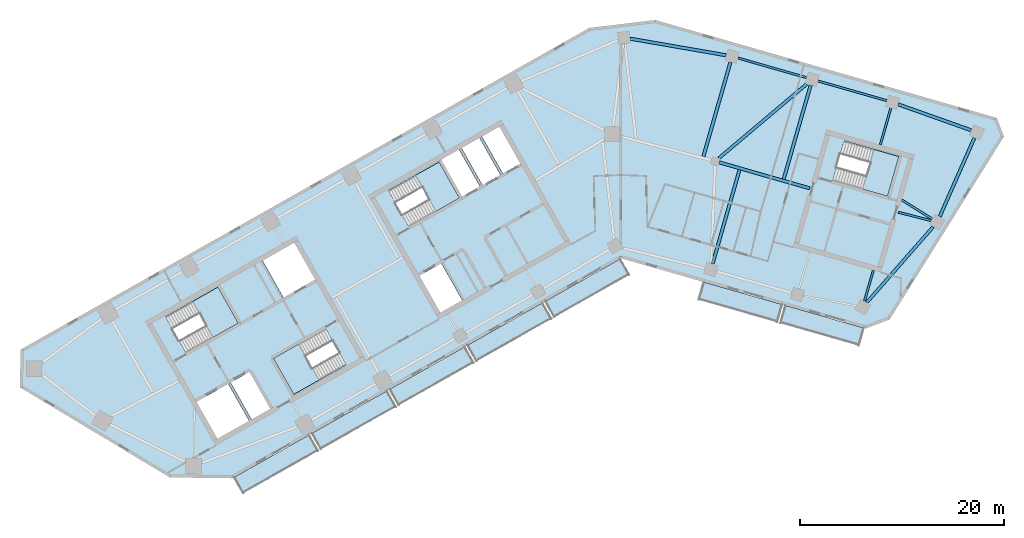
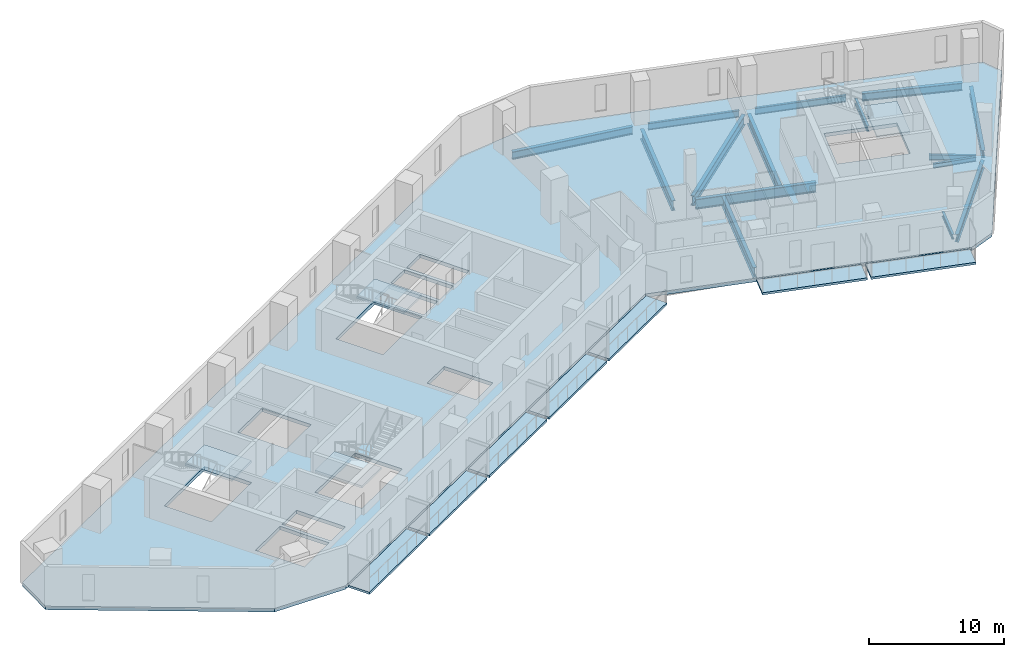
# One storey, part 2 of 9: 15 beams, 12 slabs, 4 elements without a shape of their own.
"""IFC4 building model written with IfcOpenShell, lengths in metres."""

from ifc_helpers import new_model, si_unit, direction, frame, origin, origin_2d, place, context, subcontext, project, spatial, polyline, i_section, outline, extrude, material, layer, layer_set, material_profile, profile_set, type_object, element, aggregate, save


model = new_model("IFC4")

# Units and contexts
model_context = context("Model", 3, precision=1e-05, world=origin(), true_north=direction((0.0, 1.0)))
body_context = subcontext(model_context, "Body", "Model", "MODEL_VIEW")
ifc_project = project(units=[si_unit("LENGTHUNIT", "METRE"), si_unit("AREAUNIT", "SQUARE_METRE"), si_unit("VOLUMEUNIT", "CUBIC_METRE"), si_unit("PLANEANGLEUNIT", "RADIAN"), si_unit("MASSUNIT", "GRAM", prefix="KILO")], contexts=[model_context])

# Site, building, storey
site_placement = place(None, origin())
site = spatial("IfcSite", under=ifc_project, at=site_placement, CompositionType="ELEMENT")
building_placement = place(site_placement, origin())
building = spatial("IfcBuilding", under=site, at=building_placement, Name="Binnacle Exchange Tower", CompositionType="ELEMENT")
storey_placement = place(building_placement, frame((0.0, 0.0, 166.89990234375)))
storey = spatial("IfcBuildingStorey", under=building, at=storey_placement, Name="L35", CompositionType="ELEMENT", Elevation=166.89990234375)

# Beams
ifc_material_1 = material(Name="Steel S355 (SHN355)", Category="steel")
ifc_material_profile_1 = material_profile(ifc_material_1, i_section(OverallWidth=0.201904296875, OverallDepth=0.612060546875, WebThickness=0.012939453125, FlangeThickness=0.02294921875, FilletRadius=0.02197265625, at=origin_2d()), Name="H 612x202x13x23")
ifc_profile_set_1 = profile_set([ifc_material_profile_1], Name="Steel S355 (SHN355)")
beam_type_1 = type_object("IfcBeamType", Name="Edge girder H 612x202x13x23 Steel S355 (SHN355)", PredefinedType="SPANDREL", material=ifc_profile_set_1)
for number, where, z_axis, x_axis, name in (
    (1, (18.16943359375, 65.54150390625, -0.6259765625), (-0.961255274252, 0.275659749916, 0.0), (-0.275659749916, -0.961255274252, 0.0), "S:BM:edge:L35:029"),
    (2, (26.02587890625, 63.288818359375, -0.6259765625), (-0.961267211469, 0.275618120149, 0.0), (-0.275618120149, -0.961267211469, 0.0), "S:BM:edge:L35:031"),
):
    element("IfcBeam", number, at=place(storey_placement, frame(where, z_axis=z_axis, x_axis=x_axis)), inside=storey, type_object=beam_type_1, Name=name, PredefinedType="SPANDREL", context=body_context, shape_type="SweptSolid", body=[
        extrude(i_section(OverallWidth=0.201904296875, OverallDepth=0.612060546875, WebThickness=0.012939453125, FlangeThickness=0.02294921875, FilletRadius=0.02197265625, at=origin_2d()), origin(), (0.0, 0.0, 1.0), 6.972900390625),
    ])
ifc_material_profile_2 = material_profile(ifc_material_1, i_section(OverallWidth=0.300048828125, OverallDepth=0.699951171875, WebThickness=0.012939453125, FlangeThickness=0.02392578125, FilletRadius=0.028076171875, at=origin_2d()), Name="H 700x300x13x24")
ifc_profile_set_2 = profile_set([ifc_material_profile_2], Name="Steel S355 (SHN355)")
beam_type_2 = type_object("IfcBeamType", Name="Edge girder H 700x300x13x24 Steel S355 (SHN355)", PredefinedType="SPANDREL", material=ifc_profile_set_2)
beam_1_placement = place(storey_placement, frame((31.234130859375, 51.94091796875, -0.669921875), z_axis=(0.403470856186, 0.914992496258, 0.0), x_axis=(-0.914992496258, 0.403470856186, 0.0)))
element("IfcBeam", 3, at=beam_1_placement, inside=storey, type_object=beam_type_2, Name="S:BM:edge:L35:032", PredefinedType="SPANDREL", context=body_context, shape_type="SweptSolid", body=[
    extrude(i_section(OverallWidth=0.300048828125, OverallDepth=0.699951171875, WebThickness=0.012939453125, FlangeThickness=0.02392578125, FilletRadius=0.028076171875, at=origin_2d()), origin(), (0.0, 0.0, 1.0), 8.412109375),
])
beam_2_placement = place(storey_placement, frame((34.30419921875, 60.38818359375, -0.669921875), z_axis=(-0.942327723458, 0.334691591771, 0.0), x_axis=(-0.334691591771, -0.942327723458, 0.0)))
element("IfcBeam", 4, at=beam_2_placement, inside=storey, type_object=beam_type_2, Name="S:BM:edge:L35:033", PredefinedType="SPANDREL", context=body_context, shape_type="SweptSolid", body=[
    extrude(i_section(OverallWidth=0.300048828125, OverallDepth=0.699951171875, WebThickness=0.012939453125, FlangeThickness=0.02392578125, FilletRadius=0.028076171875, at=origin_2d()), origin(), (0.0, 0.0, 1.0), 7.57177734375),
])
ifc_material_profile_3 = material_profile(ifc_material_1, i_section(OverallWidth=0.302001953125, OverallDepth=0.7080078125, WebThickness=0.014892578125, FlangeThickness=0.028076171875, FilletRadius=0.028076171875, at=origin_2d()), Name="H 708x302x15x28")
ifc_profile_set_3 = profile_set([ifc_material_profile_3], Name="Steel S355 (SHN355)")
beam_type_3 = type_object("IfcBeamType", Name="Edge girder H 708x302x15x28 Steel S355 (SHN355)", PredefinedType="SPANDREL", material=ifc_profile_set_3)
beam_3_placement = place(storey_placement, frame((10.29541015625, 67.73193359375, -0.673828125), z_axis=(-0.985309861954, 0.170776098841, 0.0), x_axis=(-0.170776098841, -0.985309861954, 0.0)))
element("IfcBeam", 5, at=beam_3_placement, inside=storey, type_object=beam_type_3, Name="S:BM:edge:L35:027", PredefinedType="SPANDREL", context=body_context, shape_type="SweptSolid", body=[
    extrude(i_section(OverallWidth=0.302001953125, OverallDepth=0.7080078125, WebThickness=0.014892578125, FlangeThickness=0.028076171875, FilletRadius=0.028076171875, at=origin_2d()), origin(), (0.0, 0.0, 1.0), 9.518310546875),
])
beam_4_placement = place(storey_placement, frame((24.09326171875, 43.5224609375, -0.673828125), z_axis=(0.659335841855, 0.751848553663, 0.0), x_axis=(-0.751848553663, 0.659335841855, 0.0)))
element("IfcBeam", 6, at=beam_4_placement, inside=storey, type_object=beam_type_3, Name="S:BM:edge:L35:030", PredefinedType="SPANDREL", context=body_context, shape_type="SweptSolid", body=[
    extrude(i_section(OverallWidth=0.302001953125, OverallDepth=0.7080078125, WebThickness=0.014892578125, FlangeThickness=0.028076171875, FilletRadius=0.028076171875, at=origin_2d()), origin(), (0.0, 0.0, 1.0), 9.851318359375),
])
ifc_material_profile_4 = material_profile(ifc_material_1, i_section(OverallWidth=0.199951171875, OverallDepth=0.449951171875, WebThickness=0.009033203125, FlangeThickness=0.013916015625, FilletRadius=0.01806640625, at=origin_2d()), Name="H 450x200x9x14")
ifc_profile_set_4 = profile_set([ifc_material_profile_4], Name="Steel S355 (SHN355)")
beam_type_4 = type_object("IfcBeamType", Name="Floor beam H 450x200x9x14 Steel S355 (SHN355)", PredefinedType="BEAM", material=ifc_profile_set_4)
beam_5_placement = place(storey_placement, frame((23.860595703125, 43.6572265625, -0.544921875), z_axis=(0.275637043779, 0.961261785414, 0.0), x_axis=(-0.961261785414, 0.275637043779, 0.0)))
element("IfcBeam", 7, at=beam_5_placement, inside=storey, type_object=beam_type_4, Name="S:BM:cross:L35:051", PredefinedType="BEAM", context=body_context, shape_type="SweptSolid", body=[
    extrude(i_section(OverallWidth=0.199951171875, OverallDepth=0.449951171875, WebThickness=0.009033203125, FlangeThickness=0.013916015625, FilletRadius=0.01806640625, at=origin_2d()), origin(), (0.0, 0.0, 1.0), 3.1328125),
])
ifc_material_profile_5 = material_profile(ifc_material_1, i_section(OverallWidth=0.199951171875, OverallDepth=0.5, WebThickness=0.010009765625, FlangeThickness=0.01611328125, FilletRadius=0.02001953125, at=origin_2d()), Name="H 500x200x10x16")
ifc_profile_set_5 = profile_set([ifc_material_profile_5], Name="Steel S355 (SHN355)")
beam_type_5 = type_object("IfcBeamType", Name="Floor beam H 500x200x10x16 Steel S355 (SHN355)", PredefinedType="BEAM", material=ifc_profile_set_5)
beam_6_placement = place(storey_placement, frame((26.437255859375, 62.546630859375, -0.56982421875), z_axis=(-0.275644746045, -0.961259576794, 0.0), x_axis=(0.961259576794, -0.275644746045, 0.0)))
element("IfcBeam", 8, at=beam_6_placement, inside=storey, type_object=beam_type_5, Name="S:BM:cross:L35:052", PredefinedType="BEAM", context=body_context, shape_type="SweptSolid", body=[
    extrude(i_section(OverallWidth=0.199951171875, OverallDepth=0.5, WebThickness=0.010009765625, FlangeThickness=0.01611328125, FilletRadius=0.02001953125, at=origin_2d()), origin(), (0.0, 0.0, 1.0), 3.735107421875),
])
beam_7_placement = place(storey_placement, frame((30.480712890625, 51.704345703125, -0.56982421875), z_axis=(-0.848084620748, 0.529860808186, 0.0), x_axis=(-0.529860808186, -0.848084620748, 0.0)))
element("IfcBeam", 9, at=beam_7_placement, inside=storey, type_object=beam_type_5, Name="S:BM:cross:L35:053", PredefinedType="BEAM", context=body_context, shape_type="SweptSolid", body=[
    extrude(i_section(OverallWidth=0.199951171875, OverallDepth=0.5, WebThickness=0.010009765625, FlangeThickness=0.01611328125, FilletRadius=0.02001953125, at=origin_2d()), origin(), (0.0, 0.0, 1.0), 3.495361328125),
])
ifc_material_profile_6 = material_profile(ifc_material_1, i_section(OverallWidth=0.302001953125, OverallDepth=0.912109375, WebThickness=0.01806640625, FlangeThickness=0.033935546875, FilletRadius=0.028076171875, at=origin_2d()), Name="H 912x302x18x34")
ifc_profile_set_6 = profile_set([ifc_material_profile_6], Name="Steel S355 (SHN355)")
beam_type_6 = type_object("IfcBeamType", Name="Floor beam H 912x302x18x34 Steel S355 (SHN355)", PredefinedType="BEAM", material=ifc_profile_set_6)
beam_8_placement = place(storey_placement, frame((8.974853515625, 47.299072265625, -0.77587890625), z_axis=(0.275642748758, 0.961260149521, 0.0), x_axis=(-0.961260149521, 0.275642748758, 0.0)))
element("IfcBeam", 10, at=beam_8_placement, inside=storey, type_object=beam_type_6, Name="S:BM:cross:L35:047", PredefinedType="BEAM", context=body_context, shape_type="SweptSolid", body=[
    extrude(i_section(OverallWidth=0.302001953125, OverallDepth=0.912109375, WebThickness=0.01806640625, FlangeThickness=0.033935546875, FilletRadius=0.028076171875, at=origin_2d()), origin(), (0.0, 0.0, 1.0), 9.585205078125),
])
beam_9_placement = place(storey_placement, frame((10.724609375, 67.05224609375, -0.77587890625), z_axis=(-0.275623285325, -0.961265730475, 0.0), x_axis=(0.961265730475, -0.275623285325, 0.0)))
element("IfcBeam", 11, at=beam_9_placement, inside=storey, type_object=beam_type_6, Name="S:BM:cross:L35:048", PredefinedType="BEAM", context=body_context, shape_type="SweptSolid", body=[
    extrude(i_section(OverallWidth=0.302001953125, OverallDepth=0.912109375, WebThickness=0.01806640625, FlangeThickness=0.033935546875, FilletRadius=0.028076171875, at=origin_2d()), origin(), (0.0, 0.0, 1.0), 9.61328125),
])
beam_10_placement = place(storey_placement, frame((18.580810546875, 64.79931640625, -0.77587890625), z_axis=(-0.275625961623, -0.961264963098, 0.0), x_axis=(0.961264963098, -0.275625961623, 0.0)))
element("IfcBeam", 12, at=beam_10_placement, inside=storey, type_object=beam_type_6, Name="S:BM:cross:L35:050", PredefinedType="BEAM", context=body_context, shape_type="SweptSolid", body=[
    extrude(i_section(OverallWidth=0.302001953125, OverallDepth=0.912109375, WebThickness=0.01806640625, FlangeThickness=0.033935546875, FilletRadius=0.028076171875, at=origin_2d()), origin(), (0.0, 0.0, 1.0), 9.5849609375),
])
ifc_material_profile_7 = material_profile(ifc_material_1, i_section(OverallWidth=0.199951171875, OverallDepth=0.39990234375, WebThickness=0.008056640625, FlangeThickness=0.012939453125, FilletRadius=0.01611328125, at=origin_2d()), Name="H 400x200x8x13")
ifc_profile_set_7 = profile_set([ifc_material_profile_7], Name="Steel S355 (SHN355)")
beam_type_7 = type_object("IfcBeamType", Name="Spine girder H 400x200x8x13 Steel S355 (SHN355)", PredefinedType="BEAM", material=ifc_profile_set_7)
beam_11_placement = place(storey_placement, frame((27.17138671875, 52.35400390625, -0.52001953125), z_axis=(0.969342999561, -0.245711516217, 0.0), x_axis=(0.245711516217, 0.969342999561, 0.0)))
element("IfcBeam", 13, at=beam_11_placement, inside=storey, type_object=beam_type_7, Name="S:BM:spine:L35:010", PredefinedType="BEAM", context=body_context, shape_type="SweptSolid", body=[
    extrude(i_section(OverallWidth=0.199951171875, OverallDepth=0.39990234375, WebThickness=0.008056640625, FlangeThickness=0.012939453125, FilletRadius=0.01611328125, at=origin_2d()), origin(), (0.0, 0.0, 1.0), 3.30859375),
])
ifc_material_profile_8 = material_profile(ifc_material_1, i_section(OverallWidth=0.302001953125, OverallDepth=0.912109375, WebThickness=0.01806640625, FlangeThickness=0.033935546875, FilletRadius=0.028076171875, at=origin_2d()), Name="H 912x302x18x34")
ifc_profile_set_8 = profile_set([ifc_material_profile_8], Name="Steel S355 (SHN355)")
beam_type_8 = type_object("IfcBeamType", Name="Spine girder H 912x302x18x34 Steel S355 (SHN355)", PredefinedType="BEAM", material=ifc_profile_set_8)
beam_12_placement = place(storey_placement, frame((9.60888671875, 57.660888671875, -0.77587890625), z_axis=(0.764057522707, 0.645148124073, 0.0), x_axis=(-0.645148124073, 0.764057522707, 0.0)))
element("IfcBeam", 14, at=beam_12_placement, inside=storey, type_object=beam_type_8, Name="S:BM:spine:L35:008", PredefinedType="BEAM", context=body_context, shape_type="SweptSolid", body=[
    extrude(i_section(OverallWidth=0.302001953125, OverallDepth=0.912109375, WebThickness=0.01806640625, FlangeThickness=0.033935546875, FilletRadius=0.028076171875, at=origin_2d()), origin(), (0.0, 0.0, 1.0), 11.237060546875),
])
beam_13_placement = place(storey_placement, frame((9.62548828125, 57.239990234375, -0.77587890625), z_axis=(0.961259511383, -0.275644974153, 0.0), x_axis=(0.275644974153, 0.961259511383, 0.0)))
element("IfcBeam", 15, at=beam_13_placement, inside=storey, type_object=beam_type_8, Name="S:BM:spine:L35:009", PredefinedType="BEAM", context=body_context, shape_type="SweptSolid", body=[
    extrude(i_section(OverallWidth=0.302001953125, OverallDepth=0.912109375, WebThickness=0.01806640625, FlangeThickness=0.033935546875, FilletRadius=0.028076171875, at=origin_2d()), origin(), (0.0, 0.0, 1.0), 9.213134765625),
])

# Slabs
ifc_material_2 = material(Name="Concrete C35/45", Category="concrete")
ifc_layer_1 = layer(ifc_material_2, 0.199951171875)
ifc_layer_set_1 = layer_set([ifc_layer_1], Name="BALCONY SLAB 200")
slab_type_1 = type_object("IfcSlabType", Name="BALCONY SLAB 200", PredefinedType="FLOOR", material=ifc_layer_set_1)
slab_1_placement = place(storey_placement, frame((0.0, 0.0, -0.199951171875)))
element("IfcSlab", 16, at=slab_1_placement, inside=storey, type_object=slab_type_1, Name="Balcony BA-G01-00 L35", PredefinedType="FLOOR", context=body_context, shape_type="SweptSolid", body=[
    extrude(outline(polyline([(-37.893310546875, 26.388671875), (-30.534912109375, 30.5517578125), (-29.648681640625, 28.985107421875), (-37.007080078125, 24.822021484375), (-37.893310546875, 26.388671875)])), origin(), (0.0, 0.0, 1.0), 0.199951171875),
])
slab_2_placement = place(storey_placement, frame((0.0, 0.0, -0.199951171875)))
element("IfcSlab", 17, at=slab_2_placement, inside=storey, type_object=slab_type_1, Name="Balcony BA-G01-01 L35", PredefinedType="FLOOR", context=body_context, shape_type="SweptSolid", body=[
    extrude(outline(polyline([(-30.27392578125, 30.699462890625), (-22.915283203125, 34.86279296875), (-22.029052734375, 33.296142578125), (-29.387451171875, 29.1328125), (-30.27392578125, 30.699462890625)])), origin(), (0.0, 0.0, 1.0), 0.199951171875),
])
slab_3_placement = place(storey_placement, frame((0.0, 0.0, -0.199951171875)))
element("IfcSlab", 18, at=slab_3_placement, inside=storey, type_object=slab_type_1, Name="Balcony BA-G01-02 L35", PredefinedType="FLOOR", context=body_context, shape_type="SweptSolid", body=[
    extrude(outline(polyline([(-22.654296875, 35.010498046875), (-15.2958984375, 39.173583984375), (-14.409423828125, 37.607177734375), (-21.767822265625, 33.44384765625), (-22.654296875, 35.010498046875)])), origin(), (0.0, 0.0, 1.0), 0.199951171875),
])
slab_4_placement = place(storey_placement, frame((0.0, 0.0, -0.199951171875)))
element("IfcSlab", 19, at=slab_4_placement, inside=storey, type_object=slab_type_1, Name="Balcony BA-G01-03 L35", PredefinedType="FLOOR", context=body_context, shape_type="SweptSolid", body=[
    extrude(outline(polyline([(-15.03466796875, 39.3212890625), (-7.67626953125, 43.484619140625), (-6.789794921875, 41.91796875), (-14.148193359375, 37.7548828125), (-15.03466796875, 39.3212890625)])), origin(), (0.0, 0.0, 1.0), 0.199951171875),
])
slab_5_placement = place(storey_placement, frame((0.0, 0.0, -0.199951171875)))
element("IfcSlab", 20, at=slab_5_placement, inside=storey, type_object=slab_type_1, Name="Balcony BA-G01-04 L35", PredefinedType="FLOOR", context=body_context, shape_type="SweptSolid", body=[
    extrude(outline(polyline([(-7.4150390625, 43.63232421875), (-0.056640625, 47.795654296875), (0.82958984375, 46.22900390625), (-6.52880859375, 42.06591796875), (-7.4150390625, 43.63232421875)])), origin(), (0.0, 0.0, 1.0), 0.199951171875),
])
slab_6_placement = place(storey_placement, frame((0.0, 0.0, -0.199951171875)))
element("IfcSlab", 21, at=slab_6_placement, inside=storey, type_object=slab_type_1, Name="Balcony BA-G02-01 L35", PredefinedType="FLOOR", context=body_context, shape_type="SweptSolid", body=[
    extrude(outline(polyline([(8.100830078125, 45.52099609375), (15.810546875, 43.310302734375), (15.314453125, 41.580078125), (7.604736328125, 43.790771484375), (8.100830078125, 45.52099609375)])), origin(), (0.0, 0.0, 1.0), 0.199951171875),
])
slab_7_placement = place(storey_placement, frame((0.0, 0.0, -0.199951171875)))
element("IfcSlab", 22, at=slab_7_placement, inside=storey, type_object=slab_type_1, Name="Balcony BA-G02-02 L35", PredefinedType="FLOOR", context=body_context, shape_type="SweptSolid", body=[
    extrude(outline(polyline([(16.09912109375, 43.2275390625), (23.80859375, 41.016845703125), (23.3125, 39.28662109375), (15.602783203125, 41.497314453125), (16.09912109375, 43.2275390625)])), origin(), (0.0, 0.0, 1.0), 0.199951171875),
])
ifc_layer_2 = layer(ifc_material_2, 0.320068359375)
ifc_layer_set_2 = layer_set([ifc_layer_2], Name="Floor slab 320 Concrete C35/45")
slab_type_2 = type_object("IfcSlabType", Name="Floor slab 320 Concrete C35/45", PredefinedType="FLOOR", material=ifc_layer_set_2)
slab_8_placement = place(storey_placement, frame((0.0, 0.0, -0.31982421875)))
element("IfcSlab", 23, at=slab_8_placement, inside=storey, type_object=slab_type_2, Name="S:SL:L35:01", PredefinedType="FLOOR", context=body_context, shape_type="SweptSolid", body=[
    extrude(outline(polyline([(-58.716064453125, 35.280029296875), (-58.669921875, 38.80615234375), (-3.046142578125, 70.276611328125), (3.364501953125, 71.035400390625), (36.71240234375, 61.472900390625), (37.359375, 59.787353515625), (26.23095703125, 41.978515625), (23.994140625, 41.119873046875), (0.0, 48.0), (-38.097900390625, 26.4453125), (-44.14404296875, 26.5244140625), (-58.716064453125, 35.280029296875)]), holes=[polyline([(-38.4794921875, 35.529296875), (-41.61279296875, 33.756591796875), (-39.544677734375, 30.10107421875), (-36.411376953125, 31.873779296875), (-38.4794921875, 35.529296875)]), polyline([(-36.390625, 36.711181640625), (-38.21826171875, 35.677001953125), (-36.150146484375, 32.021484375), (-34.322509765625, 33.0556640625), (-36.390625, 36.711181640625)]), polyline([(-32.04638671875, 34.515625), (-26.9287109375, 37.4111328125), (-28.923095703125, 40.93603515625), (-34.040771484375, 38.04052734375), (-32.04638671875, 34.515625)]), polyline([(-37.486572265625, 41.4912109375), (-39.480712890625, 45.01611328125), (-44.598388671875, 42.12060546875), (-42.604248046875, 38.595703125), (-37.486572265625, 41.4912109375)]), polyline([(-29.914306640625, 45.775390625), (-31.982666015625, 49.430908203125), (-35.115966796875, 47.657958984375), (-33.047607421875, 44.00244140625), (-29.914306640625, 45.775390625)]), polyline([(-17.81689453125, 57.27294921875), (-22.760498046875, 54.47607421875), (-20.76611328125, 50.950927734375), (-15.822509765625, 53.748046875), (-17.81689453125, 57.27294921875)]), polyline([(-15.53076171875, 43.6875), (-17.598876953125, 47.343017578125), (-19.77490234375, 46.11181640625), (-17.70654296875, 42.456298828125), (-15.53076171875, 43.6875)]), polyline([(-13.82080078125, 54.880615234375), (-15.888916015625, 58.5361328125), (-17.629638671875, 57.55126953125), (-15.5615234375, 53.895751953125), (-13.82080078125, 54.880615234375)]), polyline([(27.227783203125, 57.810302734375), (21.864013671875, 59.348388671875), (20.74755859375, 55.455078125), (26.111328125, 53.9169921875), (27.227783203125, 57.810302734375)]), polyline([(-11.819091796875, 56.01318359375), (-13.88720703125, 59.668701171875), (-15.6279296875, 58.683837890625), (-13.559814453125, 55.0283203125), (-11.819091796875, 56.01318359375)]), polyline([(-9.817138671875, 57.145751953125), (-11.885498046875, 60.80126953125), (-13.626220703125, 59.81640625), (-11.557861328125, 56.160888671875), (-9.817138671875, 57.145751953125)])]), origin(), (0.0, 0.0, 1.0), 0.31982421875),
])

# Stair, slab
stair_type = type_object("IfcStairType", Name="STAIR 24 RISERS 167", PredefinedType="HALF_TURN_STAIR", material=ifc_material_2)
stair_1_placement = place(storey_placement, origin())
stair_1 = element("IfcStair", 24, at=stair_1_placement, inside=storey, type_object=stair_type, Name="L35 Escape stair A1", PredefinedType="HALF_TURN_STAIR")
ifc_layer_3 = layer(ifc_material_2, 0.199951171875)
ifc_layer_set_3 = layer_set([ifc_layer_3], Name="STAIR LANDING 200")
slab_type_3 = type_object("IfcSlabType", Name="STAIR LANDING 200", PredefinedType="LANDING", material=ifc_layer_set_3)
slab_9_placement = place(storey_placement, frame((0.0, 0.0, 1.800048828125)))
slab_9 = element("IfcSlab", 25, at=slab_9_placement, type_object=slab_type_3, Name="STA1 landing 1", PredefinedType="LANDING", context=body_context, shape_type="SweptSolid", body=[
    extrude(outline(polyline([(-39.958251953125, 40.0927734375), (-37.486572265625, 41.4912109375), (-39.48095703125, 45.01611328125), (-41.95263671875, 43.61767578125), (-39.958251953125, 40.0927734375)])), origin(), (0.0, 0.0, 1.0), 0.199951171875),
])
aggregate(stair_1, [slab_9])

stair_2_placement = place(storey_placement, origin())
stair_2 = element("IfcStair", 26, at=stair_2_placement, inside=storey, type_object=stair_type, Name="L35 Escape stair A2", PredefinedType="HALF_TURN_STAIR")
slab_10_placement = place(storey_placement, frame((0.0, 0.0, 1.800048828125)))
slab_10 = element("IfcSlab", 27, at=slab_10_placement, type_object=slab_type_3, Name="STA2 landing 1", PredefinedType="LANDING", context=body_context, shape_type="SweptSolid", body=[
    extrude(outline(polyline([(-31.56884765625, 39.439208984375), (-34.040771484375, 38.04052734375), (-32.04638671875, 34.515625), (-29.574462890625, 35.9140625), (-31.56884765625, 39.439208984375)])), origin(), (0.0, 0.0, 1.0), 0.199951171875),
])
aggregate(stair_2, [slab_10])

stair_3_placement = place(storey_placement, origin())
stair_3 = element("IfcStair", 28, at=stair_3_placement, inside=storey, type_object=stair_type, Name="L35 Escape stair C1", PredefinedType="HALF_TURN_STAIR")
slab_11_placement = place(storey_placement, frame((0.0, 0.0, 1.800048828125)))
slab_11 = element("IfcSlab", 29, at=slab_11_placement, type_object=slab_type_3, Name="STC1 landing 1", PredefinedType="LANDING", context=body_context, shape_type="SweptSolid", body=[
    extrude(outline(polyline([(-18.120361328125, 52.447998046875), (-15.822509765625, 53.748046875), (-17.81689453125, 57.27294921875), (-20.11474609375, 55.972900390625), (-18.120361328125, 52.447998046875)])), origin(), (0.0, 0.0, 1.0), 0.199951171875),
])
aggregate(stair_3, [slab_11])

stair_4_placement = place(storey_placement, origin())
stair_4 = element("IfcStair", 30, at=stair_4_placement, inside=storey, type_object=stair_type, Name="L35 Escape stair D1", PredefinedType="HALF_TURN_STAIR")
slab_12_placement = place(storey_placement, frame((0.0, 0.0, 1.800048828125)))
slab_12 = element("IfcSlab", 31, at=slab_12_placement, type_object=slab_type_3, Name="STD1 landing 1", PredefinedType="LANDING", context=body_context, shape_type="SweptSolid", body=[
    extrude(outline(polyline([(23.669677734375, 54.6171875), (26.111328125, 53.917236328125), (27.227783203125, 57.810302734375), (24.7861328125, 58.51025390625), (23.669677734375, 54.6171875)])), origin(), (0.0, 0.0, 1.0), 0.199951171875),
])
aggregate(stair_4, [slab_12])

save(model, "model.ifc")
